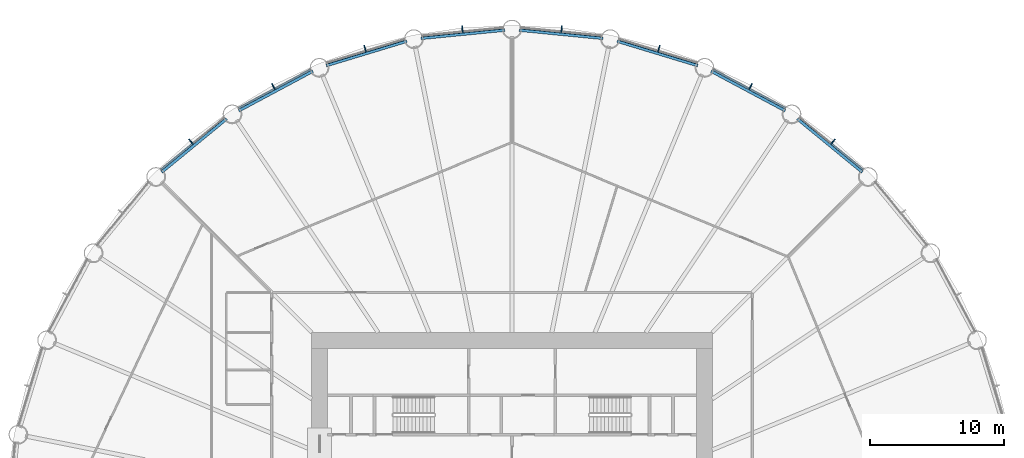
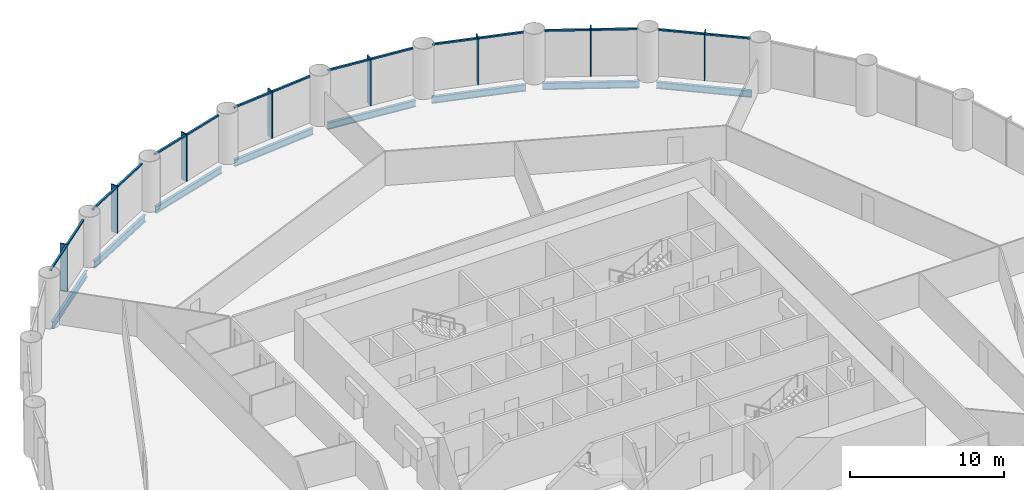
# One storey, part 7 of 15: 24 members, 8 beams, 8 elements without a shape of their own.
"""IFC4 building model written with IfcOpenShell, lengths in metres."""

from ifc_helpers import new_model, si_unit, direction, frame, origin, origin_2d, place, context, subcontext, project, spatial, rectangle, i_section, extrude, material, material_profile, profile_set, type_object, element, aggregate, save


model = new_model("IFC4")

# Units and contexts
model_context = context("Model", 3, precision=1e-05, world=origin(), true_north=direction((0.0, 1.0)))
body_context = subcontext(model_context, "Body", "Model", "MODEL_VIEW")
ifc_project = project(units=[si_unit("LENGTHUNIT", "METRE"), si_unit("AREAUNIT", "SQUARE_METRE"), si_unit("VOLUMEUNIT", "CUBIC_METRE"), si_unit("PLANEANGLEUNIT", "RADIAN"), si_unit("MASSUNIT", "GRAM", prefix="KILO")], contexts=[model_context])

# Site, building, storey
site_placement = place(None, origin())
site = spatial("IfcSite", under=ifc_project, at=site_placement, CompositionType="ELEMENT")
building_placement = place(site_placement, origin())
building = spatial("IfcBuilding", under=site, at=building_placement, Name="Corvane Civic Tower", CompositionType="ELEMENT")
storey_placement = place(building_placement, frame((0.0, 0.0, 61.0)))
storey = spatial("IfcBuildingStorey", under=building, at=storey_placement, Name="L13", CompositionType="ELEMENT", Elevation=61.0)

# Beams
ifc_material_1 = material(Name="Steel ASTM A992 Gr 50", Category="steel")
ifc_material_profile_1 = material_profile(ifc_material_1, i_section(OverallWidth=0.209228515625, OverallDepth=0.533447265625, WebThickness=0.01025390625, FlangeThickness=0.015625, at=origin_2d()), Name="W21X62")
ifc_profile_set_1 = profile_set([ifc_material_profile_1], Name="Steel ASTM A992 Gr 50")
beam_type = type_object("IfcBeamType", Name="EDGE BEAM W21X62", PredefinedType="BEAM", material=ifc_profile_set_1)
beam_1_placement = place(storey_placement, frame((0.54736328125, 37.64599609375, -0.566650390625), z_axis=(0.995186682089, -0.097997284622, 0.0), x_axis=(0.097997284622, 0.995186682089, 0.0)))
element("IfcBeam", 1, at=beam_1_placement, inside=storey, type_object=beam_type, Name="BM-L13-E01", PredefinedType="BEAM", context=body_context, shape_type="SweptSolid", body=[
    extrude(i_section(OverallWidth=0.209228515625, OverallDepth=0.533447265625, WebThickness=0.01025390625, FlangeThickness=0.015625, at=origin_2d()), origin(), (0.0, 0.0, 1.0), 6.29052734375),
])
for number, where, z_axis, x_axis, name in (
    (2, (7.88134765625, 36.81591796875, -0.566650390625), (0.956943740748, -0.290273452184, 0.0), (0.290273452184, 0.956943740748, 0.0), "BM-L13-E02"),
    (3, (14.912353515625, 34.571044921875, -0.566650390625), (0.881916367906, -0.471405897311, 0.0), (0.471405897311, 0.881916367906, 0.0), "BM-L13-E03"),
):
    element("IfcBeam", number, at=place(storey_placement, frame(where, z_axis=z_axis, x_axis=x_axis)), inside=storey, type_object=beam_type, Name=name, PredefinedType="BEAM", context=body_context, shape_type="SweptSolid", body=[
        extrude(i_section(OverallWidth=0.209228515625, OverallDepth=0.533447265625, WebThickness=0.01025390625, FlangeThickness=0.015625, at=origin_2d()), origin(), (0.0, 0.0, 1.0), 6.290283203125),
    ])
for number, where, z_axis, x_axis, name in (
    (4, (21.3701171875, 30.99755859375, -0.566650390625), (0.773015785286, -0.634386787141, 0.0), (0.634386787141, 0.773015785286, 0.0), "BM-L13-E04"),
    (5, (-26.23291015625, 27.0068359375, -0.566650390625), (0.773015785286, 0.634386787141, 0.0), (-0.634386787141, 0.773015785286, 0.0), "BM-L13-E29"),
):
    element("IfcBeam", number, at=place(storey_placement, frame(where, z_axis=z_axis, x_axis=x_axis)), inside=storey, type_object=beam_type, Name=name, PredefinedType="BEAM", context=body_context, shape_type="SweptSolid", body=[
        extrude(i_section(OverallWidth=0.209228515625, OverallDepth=0.533447265625, WebThickness=0.01025390625, FlangeThickness=0.015625, at=origin_2d()), origin(), (0.0, 0.0, 1.0), 6.290771484375),
    ])
for number, where, z_axis, x_axis, name in (
    (6, (-20.4599609375, 31.605712890625, -0.566650390625), (0.881916367906, 0.471405897311, 0.0), (-0.471405897311, 0.881916367906, 0.0), "BM-L13-E30"),
    (7, (-13.90087890625, 34.989990234375, -0.566650390625), (0.956943740748, 0.290273452184, 0.0), (-0.290273452184, 0.956943740748, 0.0), "BM-L13-E31"),
):
    element("IfcBeam", number, at=place(storey_placement, frame(where, z_axis=z_axis, x_axis=x_axis)), inside=storey, type_object=beam_type, Name=name, PredefinedType="BEAM", context=body_context, shape_type="SweptSolid", body=[
        extrude(i_section(OverallWidth=0.209228515625, OverallDepth=0.533447265625, WebThickness=0.01025390625, FlangeThickness=0.015625, at=origin_2d()), origin(), (0.0, 0.0, 1.0), 6.290283203125),
    ])
beam_2_placement = place(storey_placement, frame((-6.8076171875, 37.029541015625, -0.566650390625), z_axis=(0.995186682089, 0.097997284622, 0.0), x_axis=(-0.097997284622, 0.995186682089, 0.0)))
element("IfcBeam", 8, at=beam_2_placement, inside=storey, type_object=beam_type, Name="BM-L13-E32", PredefinedType="BEAM", context=body_context, shape_type="SweptSolid", body=[
    extrude(i_section(OverallWidth=0.209228515625, OverallDepth=0.533447265625, WebThickness=0.01025390625, FlangeThickness=0.015625, at=origin_2d()), origin(), (0.0, 0.0, 1.0), 6.29052734375),
])

# Curtain wall, members
ifc_material_2 = material(Name="Anodised aluminium bronze", Category="aluminium")
curtain_wall_type = type_object("IfcCurtainWallType", Name="TOWER CW-T1 STICK CURTAIN WALL", PredefinedType="NOTDEFINED", material=ifc_material_2)
curtain_wall_1_placement = place(storey_placement, origin())
curtain_wall_1 = element("IfcCurtainWall", 9, at=curtain_wall_1_placement, inside=storey, type_object=curtain_wall_type, Name="Curtain wall CW-T1 L13 bay 01", PredefinedType="NOTDEFINED")
ifc_material_3 = material(Name="Anodised aluminium bronze", Category="aluminium")
ifc_material_profile_2 = material_profile(ifc_material_3, rectangle(XDim=0.139892578125, YDim=0.1201171875, at=origin_2d()), Name="TOWER CW-T1 TRANSOM 140x120")
ifc_profile_set_2 = profile_set([ifc_material_profile_2], Name="Anodised aluminium bronze")
member_type_1 = type_object("IfcMemberType", Name="TOWER CW-T1 TRANSOM 140x120", PredefinedType="USERDEFINED", material=ifc_profile_set_2)
member_1_placement = place(storey_placement, frame((0.6611328125, 37.814697265625, 3.68994140625), z_axis=(0.995191836722, -0.097944923917, 0.0), x_axis=(0.097944923917, 0.995191836722, 0.0)))
member_1 = element("IfcMember", 10, at=member_1_placement, type_object=member_type_1, Name="Transom CW-T1 L13 01.1", ObjectType="TRANSOM", PredefinedType="USERDEFINED", context=body_context, shape_type="SweptSolid", body=[
    extrude(rectangle(XDim=0.139892578125, YDim=0.1201171875, at=origin_2d()), origin(), (0.0, 0.0, 1.0), 3.008544921875),
])
member_2_placement = place(storey_placement, frame((3.73486328125, 37.511962890625, 3.68994140625), z_axis=(0.995191836722, -0.097944923917, 0.0), x_axis=(0.097944923917, 0.995191836722, 0.0)))
member_2 = element("IfcMember", 11, at=member_2_placement, type_object=member_type_1, Name="Transom CW-T1 L13 01.2", ObjectType="TRANSOM", PredefinedType="USERDEFINED", context=body_context, shape_type="SweptSolid", body=[
    extrude(rectangle(XDim=0.139892578125, YDim=0.1201171875, at=origin_2d()), origin(), (0.0, 0.0, 1.0), 3.008544921875),
])

curtain_wall_2_placement = place(storey_placement, origin())
curtain_wall_2 = element("IfcCurtainWall", 12, at=curtain_wall_2_placement, inside=storey, type_object=curtain_wall_type, Name="Curtain wall CW-T1 L13 bay 02", PredefinedType="NOTDEFINED")
member_3_placement = place(storey_placement, frame((8.02587890625, 36.959228515625, 3.68994140625), z_axis=(0.956941780555, -0.290279914268, 0.0), x_axis=(0.290279914268, 0.956941780555, 0.0)))
member_3 = element("IfcMember", 13, at=member_3_placement, type_object=member_type_1, Name="Transom CW-T1 L13 02.1", ObjectType="TRANSOM", PredefinedType="USERDEFINED", context=body_context, shape_type="SweptSolid", body=[
    extrude(rectangle(XDim=0.139892578125, YDim=0.1201171875, at=origin_2d()), origin(), (0.0, 0.0, 1.0), 3.008544921875),
])
member_4_placement = place(storey_placement, frame((10.9814453125, 36.062744140625, 3.68994140625), z_axis=(0.956941780555, -0.290279914268, 0.0), x_axis=(0.290279914268, 0.956941780555, 0.0)))
member_4 = element("IfcMember", 14, at=member_4_placement, type_object=member_type_1, Name="Transom CW-T1 L13 02.2", ObjectType="TRANSOM", PredefinedType="USERDEFINED", context=body_context, shape_type="SweptSolid", body=[
    extrude(rectangle(XDim=0.139892578125, YDim=0.1201171875, at=origin_2d()), origin(), (0.0, 0.0, 1.0), 3.008544921875),
])

curtain_wall_3_placement = place(storey_placement, origin())
curtain_wall_3 = element("IfcCurtainWall", 15, at=curtain_wall_3_placement, inside=storey, type_object=curtain_wall_type, Name="Curtain wall CW-T1 L13 bay 03", PredefinedType="NOTDEFINED")
member_5_placement = place(storey_placement, frame((15.08203125, 34.683349609375, 3.68994140625), z_axis=(0.881923525532, -0.471392506424, 0.0), x_axis=(0.471392506424, 0.881923525532, 0.0)))
member_5 = element("IfcMember", 16, at=member_5_placement, type_object=member_type_1, Name="Transom CW-T1 L13 03.1", ObjectType="TRANSOM", PredefinedType="USERDEFINED", context=body_context, shape_type="SweptSolid", body=[
    extrude(rectangle(XDim=0.139892578125, YDim=0.1201171875, at=origin_2d()), origin(), (0.0, 0.0, 1.0), 3.008544921875),
])
member_6_placement = place(storey_placement, frame((17.805908203125, 33.2275390625, 3.68994140625), z_axis=(0.881923525532, -0.471392506424, 0.0), x_axis=(0.471392506424, 0.881923525532, 0.0)))
member_6 = element("IfcMember", 17, at=member_6_placement, type_object=member_type_1, Name="Transom CW-T1 L13 03.2", ObjectType="TRANSOM", PredefinedType="USERDEFINED", context=body_context, shape_type="SweptSolid", body=[
    extrude(rectangle(XDim=0.139892578125, YDim=0.1201171875, at=origin_2d()), origin(), (0.0, 0.0, 1.0), 3.008544921875),
])

curtain_wall_4_placement = place(storey_placement, origin())
curtain_wall_4 = element("IfcCurtainWall", 18, at=curtain_wall_4_placement, inside=storey, type_object=curtain_wall_type, Name="Curtain wall CW-T1 L13 bay 04", PredefinedType="NOTDEFINED")
member_7_placement = place(storey_placement, frame((21.55859375, 31.074462890625, 3.68994140625), z_axis=(0.773041738279, -0.634355161466, 0.0), x_axis=(0.634355161466, 0.773041738279, 0.0)))
member_7 = element("IfcMember", 19, at=member_7_placement, type_object=member_type_1, Name="Transom CW-T1 L13 04.1", ObjectType="TRANSOM", PredefinedType="USERDEFINED", context=body_context, shape_type="SweptSolid", body=[
    extrude(rectangle(XDim=0.139892578125, YDim=0.1201171875, at=origin_2d()), origin(), (0.0, 0.0, 1.0), 3.008544921875),
])
member_8_placement = place(storey_placement, frame((23.946044921875, 29.115234375, 3.68994140625), z_axis=(0.773001943873, -0.634403652865, 0.0), x_axis=(0.634403652865, 0.773001943873, 0.0)))
member_8 = element("IfcMember", 20, at=member_8_placement, type_object=member_type_1, Name="Transom CW-T1 L13 04.2", ObjectType="TRANSOM", PredefinedType="USERDEFINED", context=body_context, shape_type="SweptSolid", body=[
    extrude(rectangle(XDim=0.139892578125, YDim=0.1201171875, at=origin_2d()), origin(), (0.0, 0.0, 1.0), 3.008544921875),
])

curtain_wall_5_placement = place(storey_placement, origin())
curtain_wall_5 = element("IfcCurtainWall", 21, at=curtain_wall_5_placement, inside=storey, type_object=curtain_wall_type, Name="Curtain wall CW-T1 L13 bay 29", PredefinedType="NOTDEFINED")
member_9_placement = place(storey_placement, frame((-26.271728515625, 27.20654296875, 3.68994140625), z_axis=(0.773001943873, 0.634403652865, 0.0), x_axis=(-0.634403652865, 0.773001943873, 0.0)))
member_9 = element("IfcMember", 22, at=member_9_placement, type_object=member_type_1, Name="Transom CW-T1 L13 29.1", ObjectType="TRANSOM", PredefinedType="USERDEFINED", context=body_context, shape_type="SweptSolid", body=[
    extrude(rectangle(XDim=0.139892578125, YDim=0.1201171875, at=origin_2d()), origin(), (0.0, 0.0, 1.0), 3.008544921875),
])
member_10_placement = place(storey_placement, frame((-23.88427734375, 29.166015625, 3.68994140625), z_axis=(0.773041738279, 0.634355161466, 0.0), x_axis=(-0.634355161466, 0.773041738279, 0.0)))
member_10 = element("IfcMember", 23, at=member_10_placement, type_object=member_type_1, Name="Transom CW-T1 L13 29.2", ObjectType="TRANSOM", PredefinedType="USERDEFINED", context=body_context, shape_type="SweptSolid", body=[
    extrude(rectangle(XDim=0.139892578125, YDim=0.1201171875, at=origin_2d()), origin(), (0.0, 0.0, 1.0), 3.008544921875),
])

curtain_wall_6_placement = place(storey_placement, origin())
curtain_wall_6 = element("IfcCurtainWall", 24, at=curtain_wall_6_placement, inside=storey, type_object=curtain_wall_type, Name="Curtain wall CW-T1 L13 bay 30", PredefinedType="NOTDEFINED")
member_11_placement = place(storey_placement, frame((-20.459228515625, 31.809326171875, 3.68994140625), z_axis=(0.881923525532, 0.471392506424, 0.0), x_axis=(-0.471392506424, 0.881923525532, 0.0)))
member_11 = element("IfcMember", 25, at=member_11_placement, type_object=member_type_1, Name="Transom CW-T1 L13 30.1", ObjectType="TRANSOM", PredefinedType="USERDEFINED", context=body_context, shape_type="SweptSolid", body=[
    extrude(rectangle(XDim=0.139892578125, YDim=0.1201171875, at=origin_2d()), origin(), (0.0, 0.0, 1.0), 3.008544921875),
])
member_12_placement = place(storey_placement, frame((-17.7353515625, 33.26513671875, 3.68994140625), z_axis=(0.881923525532, 0.471392506424, 0.0), x_axis=(-0.471392506424, 0.881923525532, 0.0)))
member_12 = element("IfcMember", 26, at=member_12_placement, type_object=member_type_1, Name="Transom CW-T1 L13 30.2", ObjectType="TRANSOM", PredefinedType="USERDEFINED", context=body_context, shape_type="SweptSolid", body=[
    extrude(rectangle(XDim=0.139892578125, YDim=0.1201171875, at=origin_2d()), origin(), (0.0, 0.0, 1.0), 3.008544921875),
])

curtain_wall_7_placement = place(storey_placement, origin())
curtain_wall_7 = element("IfcCurtainWall", 27, at=curtain_wall_7_placement, inside=storey, type_object=curtain_wall_type, Name="Curtain wall CW-T1 L13 bay 31", PredefinedType="NOTDEFINED")
member_13_placement = place(storey_placement, frame((-13.8603515625, 35.189453125, 3.68994140625), z_axis=(0.956941780555, 0.290279914268, 0.0), x_axis=(-0.290279914268, 0.956941780555, 0.0)))
member_13 = element("IfcMember", 28, at=member_13_placement, type_object=member_type_1, Name="Transom CW-T1 L13 31.1", ObjectType="TRANSOM", PredefinedType="USERDEFINED", context=body_context, shape_type="SweptSolid", body=[
    extrude(rectangle(XDim=0.139892578125, YDim=0.1201171875, at=origin_2d()), origin(), (0.0, 0.0, 1.0), 3.008544921875),
])
member_14_placement = place(storey_placement, frame((-10.90478515625, 36.0859375, 3.68994140625), z_axis=(0.956941780555, 0.290279914268, 0.0), x_axis=(-0.290279914268, 0.956941780555, 0.0)))
member_14 = element("IfcMember", 29, at=member_14_placement, type_object=member_type_1, Name="Transom CW-T1 L13 31.2", ObjectType="TRANSOM", PredefinedType="USERDEFINED", context=body_context, shape_type="SweptSolid", body=[
    extrude(rectangle(XDim=0.139892578125, YDim=0.1201171875, at=origin_2d()), origin(), (0.0, 0.0, 1.0), 3.008544921875),
])

curtain_wall_8_placement = place(storey_placement, origin())
curtain_wall_8 = element("IfcCurtainWall", 30, at=curtain_wall_8_placement, inside=storey, type_object=curtain_wall_type, Name="Curtain wall CW-T1 L13 bay 32", PredefinedType="NOTDEFINED")
member_15_placement = place(storey_placement, frame((-6.72900390625, 37.21728515625, 3.68994140625), z_axis=(0.995191836722, 0.097944923917, 0.0), x_axis=(-0.097944923917, 0.995191836722, 0.0)))
member_15 = element("IfcMember", 31, at=member_15_placement, type_object=member_type_1, Name="Transom CW-T1 L13 32.1", ObjectType="TRANSOM", PredefinedType="USERDEFINED", context=body_context, shape_type="SweptSolid", body=[
    extrude(rectangle(XDim=0.139892578125, YDim=0.1201171875, at=origin_2d()), origin(), (0.0, 0.0, 1.0), 3.008544921875),
])
member_16_placement = place(storey_placement, frame((-3.6552734375, 37.52001953125, 3.68994140625), z_axis=(0.995191836722, 0.097944923917, 0.0), x_axis=(-0.097944923917, 0.995191836722, 0.0)))
member_16 = element("IfcMember", 32, at=member_16_placement, type_object=member_type_1, Name="Transom CW-T1 L13 32.2", ObjectType="TRANSOM", PredefinedType="USERDEFINED", context=body_context, shape_type="SweptSolid", body=[
    extrude(rectangle(XDim=0.139892578125, YDim=0.1201171875, at=origin_2d()), origin(), (0.0, 0.0, 1.0), 3.008544921875),
])

# Member
ifc_material_4 = material(Name="Anodised aluminium bronze", Category="aluminium")
ifc_material_profile_3 = material_profile(ifc_material_4, rectangle(XDim=0.080078125, YDim=0.5, at=origin_2d()), Name="TOWER FIN MULLION 80x500 BRONZE")
ifc_profile_set_3 = profile_set([ifc_material_profile_3], Name="Anodised aluminium bronze")
member_type_2 = type_object("IfcMemberType", Name="TOWER FIN MULLION 80x500 BRONZE", PredefinedType="MULLION", material=ifc_profile_set_3)
member_17_placement = place(storey_placement, frame((3.714599609375, 37.715087890625, 0.0), z_axis=(0.0, 0.0, 1.0), x_axis=(0.995185800248, -0.098006239521, 0.0)))
member_17 = element("IfcMember", 33, at=member_17_placement, type_object=member_type_2, Name="Fin mullion 01 L13", PredefinedType="MULLION", context=body_context, shape_type="SweptSolid", body=[
    extrude(rectangle(XDim=0.080078125, YDim=0.5, at=origin_2d()), origin(), (0.0, 0.0, 1.0), 3.75),
])

aggregate(curtain_wall_1, [member_17, member_1, member_2])

member_18_placement = place(storey_placement, frame((11.001220703125, 36.265625, 0.0), z_axis=(0.0, 0.0, 1.0), x_axis=(0.956942240606, -0.290278397654, 0.0)))
member_18 = element("IfcMember", 34, at=member_18_placement, type_object=member_type_2, Name="Fin mullion 02 L13", PredefinedType="MULLION", context=body_context, shape_type="SweptSolid", body=[
    extrude(rectangle(XDim=0.080078125, YDim=0.5, at=origin_2d()), origin(), (0.0, 0.0, 1.0), 3.75),
])

aggregate(curtain_wall_2, [member_18, member_3, member_4])

member_19_placement = place(storey_placement, frame((17.86474609375, 33.422607421875, 0.0), z_axis=(0.0, 0.0, 1.0), x_axis=(0.881917528864, -0.471403725359, 0.0)))
member_19 = element("IfcMember", 35, at=member_19_placement, type_object=member_type_2, Name="Fin mullion 03 L13", PredefinedType="MULLION", context=body_context, shape_type="SweptSolid", body=[
    extrude(rectangle(XDim=0.080078125, YDim=0.5, at=origin_2d()), origin(), (0.0, 0.0, 1.0), 3.75),
])

aggregate(curtain_wall_3, [member_19, member_5, member_6])

member_20_placement = place(storey_placement, frame((24.0419921875, 29.295166015625, 0.0), z_axis=(0.0, 0.0, 1.0), x_axis=(0.773007224463, -0.634397218569, 0.0)))
member_20 = element("IfcMember", 36, at=member_20_placement, type_object=member_type_2, Name="Fin mullion 04 L13", PredefinedType="MULLION", context=body_context, shape_type="SweptSolid", body=[
    extrude(rectangle(XDim=0.080078125, YDim=0.5, at=origin_2d()), origin(), (0.0, 0.0, 1.0), 3.75),
])

aggregate(curtain_wall_4, [member_20, member_7, member_8])

member_21_placement = place(storey_placement, frame((-24.0419921875, 29.295166015625, 0.0), z_axis=(0.0, 0.0, 1.0), x_axis=(0.773007224463, 0.634397218569, 0.0)))
member_21 = element("IfcMember", 37, at=member_21_placement, type_object=member_type_2, Name="Fin mullion 29 L13", PredefinedType="MULLION", context=body_context, shape_type="SweptSolid", body=[
    extrude(rectangle(XDim=0.080078125, YDim=0.5, at=origin_2d()), origin(), (0.0, 0.0, 1.0), 3.75),
])

aggregate(curtain_wall_5, [member_21, member_9, member_10])

member_22_placement = place(storey_placement, frame((-17.86474609375, 33.422607421875, 0.0), z_axis=(0.0, 0.0, 1.0), x_axis=(0.881917528864, 0.471403725359, 0.0)))
member_22 = element("IfcMember", 38, at=member_22_placement, type_object=member_type_2, Name="Fin mullion 30 L13", PredefinedType="MULLION", context=body_context, shape_type="SweptSolid", body=[
    extrude(rectangle(XDim=0.080078125, YDim=0.5, at=origin_2d()), origin(), (0.0, 0.0, 1.0), 3.75),
])

aggregate(curtain_wall_6, [member_22, member_11, member_12])

member_23_placement = place(storey_placement, frame((-11.001220703125, 36.265625, 0.0), z_axis=(0.0, 0.0, 1.0), x_axis=(0.956942240606, 0.290278397654, 0.0)))
member_23 = element("IfcMember", 39, at=member_23_placement, type_object=member_type_2, Name="Fin mullion 31 L13", PredefinedType="MULLION", context=body_context, shape_type="SweptSolid", body=[
    extrude(rectangle(XDim=0.080078125, YDim=0.5, at=origin_2d()), origin(), (0.0, 0.0, 1.0), 3.75),
])

aggregate(curtain_wall_7, [member_23, member_13, member_14])

member_24_placement = place(storey_placement, frame((-3.714599609375, 37.715087890625, 0.0), z_axis=(0.0, 0.0, 1.0), x_axis=(0.995185800248, 0.098006239521, 0.0)))
member_24 = element("IfcMember", 40, at=member_24_placement, type_object=member_type_2, Name="Fin mullion 32 L13", PredefinedType="MULLION", context=body_context, shape_type="SweptSolid", body=[
    extrude(rectangle(XDim=0.080078125, YDim=0.5, at=origin_2d()), origin(), (0.0, 0.0, 1.0), 3.75),
])

aggregate(curtain_wall_8, [member_24, member_15, member_16])

save(model, "model.ifc")
